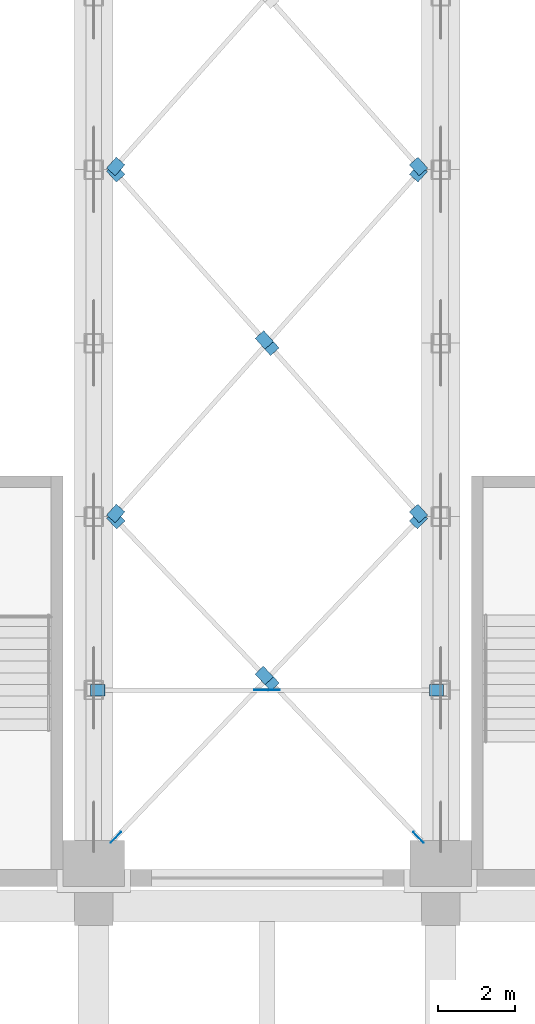
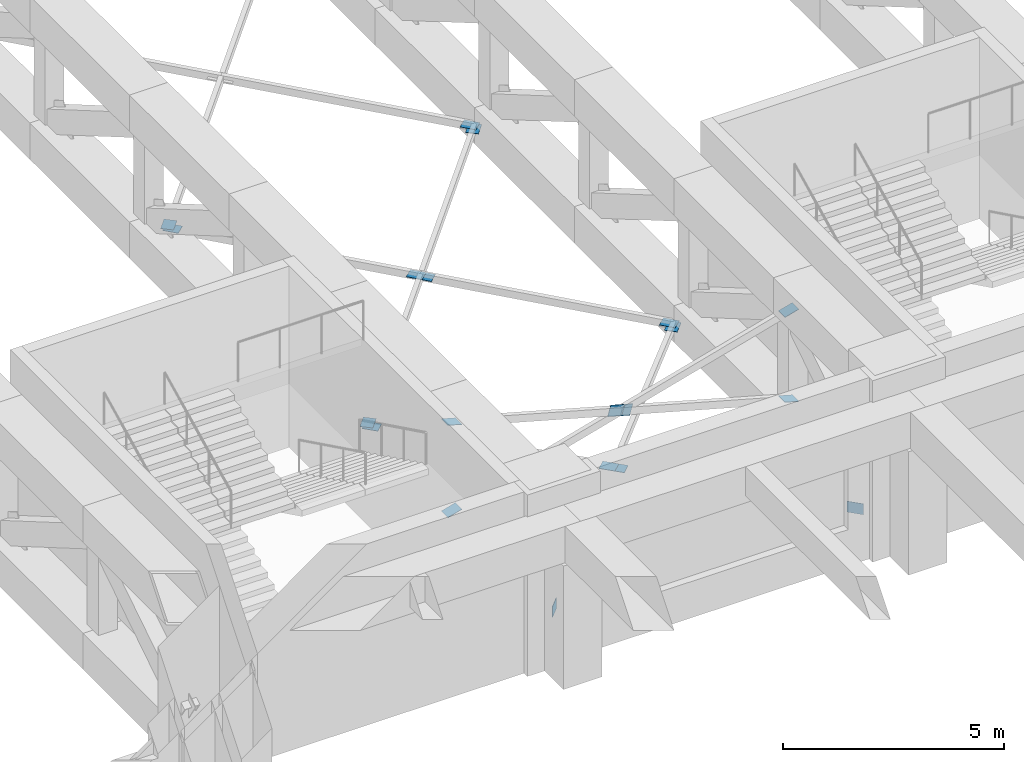
# One storey, part 60 of 76: 20 discrete accessories.
"""IFC4 building model written with IfcOpenShell, lengths in metres."""

from ifc_helpers import new_model, si_unit, direction, frame, origin, place, context, subcontext, project, spatial, polyline, outline, extrude, material, layer, layer_set, type_object, element, save


model = new_model("IFC4")

# Units and contexts
model_context = context("Model", 3, precision=1e-05, world=origin(), true_north=direction((0.0, 1.0)))
body_context = subcontext(model_context, "Body", "Model", "MODEL_VIEW")
ifc_project = project(units=[si_unit("LENGTHUNIT", "METRE"), si_unit("AREAUNIT", "SQUARE_METRE"), si_unit("VOLUMEUNIT", "CUBIC_METRE"), si_unit("PLANEANGLEUNIT", "RADIAN"), si_unit("MASSUNIT", "GRAM", prefix="KILO")], contexts=[model_context])

# Site, building, storey
site_placement = place(None, origin())
site = spatial("IfcSite", under=ifc_project, at=site_placement, CompositionType="ELEMENT")
building_placement = place(site_placement, origin())
building = spatial("IfcBuilding", under=site, at=building_placement, Name="Aravalli Gate Trade Fair Centre", CompositionType="ELEMENT")
storey_placement = place(building_placement, frame((0.0, 0.0, 10.0)))
storey = spatial("IfcBuildingStorey", under=building, at=storey_placement, Name="L02", CompositionType="ELEMENT", Elevation=10.0)

# Discrete accessories
ifc_material = material(Name="Steel E350", Category="steel")
ifc_layer = layer(ifc_material, 0.011962890625)
ifc_layer_set = layer_set([ifc_layer], Name="Steel E350")
discrete_accessory_type = type_object("IfcDiscreteAccessoryType", Name="Gusset plate 300 x 300 x 12", PredefinedType="USERDEFINED", material=ifc_layer_set)
discrete_accessory_1_placement = place(storey_placement, frame((60.70263671875, 46.8212890625, 0.35009765625), z_axis=(-0.723924035453, 0.689879693058, 0.0), x_axis=(-0.689879693058, -0.723924035453, 0.0)))
element("IfcDiscreteAccessory", 1, at=discrete_accessory_1_placement, inside=storey, type_object=discrete_accessory_type, Name="Gusset plate FT plan brace bay 7 cell 1A end A", ObjectType="GUSSET PLATE", PredefinedType="USERDEFINED", context=body_context, shape_type="SweptSolid", body=[
    extrude(outline(polyline([(0.0, 0.0), (0.3800764595457875, 0.0), (0.3800764595457875, 0.29980468750000006), (0.0, 0.29980468750000006), (0.0, 0.0)])), origin(), (0.0, 0.0, -1.0), 0.011962890625),
])
discrete_accessory_2_placement = place(storey_placement, frame((68.401611328125, 54.67919921875, 0.506103515625), z_axis=(0.0, 0.0, 1.0), x_axis=(0.689558973725, 0.72422953665, 0.0)))
element("IfcDiscreteAccessory", 2, at=discrete_accessory_2_placement, inside=storey, type_object=discrete_accessory_type, Name="Gusset plate FT plan brace bay 7 cell 1A end B", ObjectType="GUSSET PLATE", PredefinedType="USERDEFINED", context=body_context, shape_type="SweptSolid", body=[
    extrude(outline(polyline([(0.0, 0.0), (0.38025323611355255, 0.0), (0.3801836391719176, 0.2999562349519024), (0.0002755662689057359, 0.2999477704590008), (0.0, 0.0)])), origin(), (0.0, 0.0, -1.0), 0.011962890625),
])
discrete_accessory_3_placement = place(storey_placement, frame((60.598388671875, 54.67919921875, 0.506103515625), z_axis=(0.0, 0.0, 1.0), x_axis=(-0.689558973725, 0.72422953665, 0.0)))
element("IfcDiscreteAccessory", 3, at=discrete_accessory_3_placement, inside=storey, type_object=discrete_accessory_type, Name="Gusset plate FT plan brace bay 7 cell 1B half 1 end A", ObjectType="GUSSET PLATE", PredefinedType="USERDEFINED", context=body_context, shape_type="SweptSolid", body=[
    extrude(outline(polyline([(0.0, 0.0), (0.38025323611355255, 0.0), (0.3801836391719176, -0.2999562349519024), (0.0002755662689057359, -0.2999477704590008), (0.0, 0.0)])), origin(), (0.0, 0.0, -1.0), 0.011962890625),
])
discrete_accessory_4_placement = place(storey_placement, frame((64.1845703125, 50.913818359375, 0.506103515625), z_axis=(0.0, 0.0, 1.0), x_axis=(0.689542837451, -0.7242449001, 0.0)))
element("IfcDiscreteAccessory", 4, at=discrete_accessory_4_placement, inside=storey, type_object=discrete_accessory_type, Name="Gusset plate FT plan brace bay 7 cell 1B half 1 end B", ObjectType="GUSSET PLATE", PredefinedType="USERDEFINED", context=body_context, shape_type="SweptSolid", body=[
    extrude(outline(polyline([(0.0, 0.0), (0.37990807299730794, 2.7755575615628914e-17), (0.37997098680265656, 0.2999562364280967), (-0.00010543161395085154, 0.2997794188255333), (0.0, 0.0)])), origin(), (0.0, 0.0, -1.0), 0.011962890625),
])
discrete_accessory_5_placement = place(storey_placement, frame((64.598388671875, 50.479248046875, 0.506103515625), z_axis=(0.0, 0.0, 1.0), x_axis=(-0.689879693058, 0.723924035453, 0.0)))
element("IfcDiscreteAccessory", 5, at=discrete_accessory_5_placement, inside=storey, type_object=discrete_accessory_type, Name="Gusset plate FT plan brace bay 7 cell 1B half 2 end A", ObjectType="GUSSET PLATE", PredefinedType="USERDEFINED", context=body_context, shape_type="SweptSolid", body=[
    extrude(outline(polyline([(0.0, 0.0), (0.3800764595457874, -2.7755575615628914e-17), (0.38005074061082667, -0.3001246023598962), (0.00014270872447724736, -0.2999478630934282), (0.0, 0.0)])), origin(), (0.0, 0.0, -1.0), 0.011962890625),
])
discrete_accessory_6_placement = place(storey_placement, frame((68.288818359375, 46.81298828125, 0.35009765625), z_axis=(-0.7242449001, -0.689542837451, 0.0), x_axis=(0.689542837451, -0.7242449001, 0.0)))
element("IfcDiscreteAccessory", 6, at=discrete_accessory_6_placement, inside=storey, type_object=discrete_accessory_type, Name="Gusset plate FT plan brace bay 7 cell 1B half 2 end B", ObjectType="GUSSET PLATE", PredefinedType="USERDEFINED", context=body_context, shape_type="SweptSolid", body=[
    extrude(outline(polyline([(0.0, 0.0), (0.37990807299730794, 0.0), (0.37990807299730794, 0.2998046875), (0.0, 0.2998046875), (0.0, 0.0)])), origin(), (0.0, 0.0, -1.0), 0.011962890625),
])
discrete_accessory_7_placement = place(storey_placement, frame((60.811279296875, 55.12451171875, 0.506103515625), z_axis=(0.0, 0.0, 1.0), x_axis=(-0.664084476604, -0.747657547232, 0.0)))
element("IfcDiscreteAccessory", 7, at=discrete_accessory_7_placement, inside=storey, type_object=discrete_accessory_type, Name="Gusset plate FT plan brace bay 7 cell 2A end A", ObjectType="GUSSET PLATE", PredefinedType="USERDEFINED", context=body_context, shape_type="SweptSolid", body=[
    extrude(outline(polyline([(0.0, 0.0), (0.37976684369219504, 0.0), (0.3798169109426651, -0.30004644014049164), (-0.0002945963295681586, -0.30002603655879534), (0.0, 0.0)])), origin(), (0.0, 0.0, -1.0), 0.011962890625),
])
discrete_accessory_8_placement = place(storey_placement, frame((68.412841796875, 63.676025390625, 0.506103515625), z_axis=(0.0, 0.0, 1.0), x_axis=(0.664124608323, 0.747621899505, 0.0)))
element("IfcDiscreteAccessory", 8, at=discrete_accessory_8_placement, inside=storey, type_object=discrete_accessory_type, Name="Gusset plate FT plan brace bay 7 cell 2A end B", ObjectType="GUSSET PLATE", PredefinedType="USERDEFINED", context=body_context, shape_type="SweptSolid", body=[
    extrude(outline(polyline([(0.0, 0.0), (0.3801115078198438, 0.0), (0.38004533471122237, 0.3000464370207233), (0.0002784915661413201, 0.30002605193986837), (0.0, 0.0)])), origin(), (0.0, 0.0, -1.0), 0.011962890625),
])
discrete_accessory_9_placement = place(storey_placement, frame((60.587158203125, 63.676025390625, 0.506103515625), z_axis=(0.0, 0.0, 1.0), x_axis=(-0.664124608323, 0.747621899505, 0.0)))
element("IfcDiscreteAccessory", 9, at=discrete_accessory_9_placement, inside=storey, type_object=discrete_accessory_type, Name="Gusset plate FT plan brace bay 7 cell 2B half 1 end A", ObjectType="GUSSET PLATE", PredefinedType="USERDEFINED", context=body_context, shape_type="SweptSolid", body=[
    extrude(outline(polyline([(0.0, 0.0), (0.3801115078198438, 0.0), (0.38004533471122237, -0.3000464370207233), (0.0002784915661413201, -0.30002605193986837), (0.0, 0.0)])), origin(), (0.0, 0.0, -1.0), 0.011962890625),
])
discrete_accessory_10_placement = place(storey_placement, frame((64.188720703125, 59.62451171875, 0.506103515625), z_axis=(0.0, 0.0, 1.0), x_axis=(0.664084476604, -0.747657547232, 0.0)))
element("IfcDiscreteAccessory", 10, at=discrete_accessory_10_placement, inside=storey, type_object=discrete_accessory_type, Name="Gusset plate FT plan brace bay 7 cell 2B half 1 end B", ObjectType="GUSSET PLATE", PredefinedType="USERDEFINED", context=body_context, shape_type="SweptSolid", body=[
    extrude(outline(polyline([(0.0, 0.0), (0.37976684369219504, 0.0), (0.3798169109426651, 0.30004644014049164), (-0.0002945963295681586, 0.30002603655879534), (0.0, 0.0)])), origin(), (0.0, 0.0, -1.0), 0.011962890625),
])
discrete_accessory_11_placement = place(storey_placement, frame((64.587158203125, 59.176025390625, 0.506103515625), z_axis=(0.0, 0.0, 1.0), x_axis=(-0.664124608323, 0.747621899505, 0.0)))
element("IfcDiscreteAccessory", 11, at=discrete_accessory_11_placement, inside=storey, type_object=discrete_accessory_type, Name="Gusset plate FT plan brace bay 7 cell 2B half 2 end A", ObjectType="GUSSET PLATE", PredefinedType="USERDEFINED", context=body_context, shape_type="SweptSolid", body=[
    extrude(outline(polyline([(0.0, 0.0), (0.3801115078198438, 0.0), (0.38004533471122237, -0.3000464370207233), (0.0002784915661413201, -0.30002605193986837), (0.0, 0.0)])), origin(), (0.0, 0.0, -1.0), 0.011962890625),
])
discrete_accessory_12_placement = place(storey_placement, frame((68.188720703125, 55.12451171875, 0.506103515625), z_axis=(0.0, 0.0, 1.0), x_axis=(0.664084476604, -0.747657547232, 0.0)))
element("IfcDiscreteAccessory", 12, at=discrete_accessory_12_placement, inside=storey, type_object=discrete_accessory_type, Name="Gusset plate FT plan brace bay 7 cell 2B half 2 end B", ObjectType="GUSSET PLATE", PredefinedType="USERDEFINED", context=body_context, shape_type="SweptSolid", body=[
    extrude(outline(polyline([(0.0, 0.0), (0.37976684369219504, 0.0), (0.3798169109426651, 0.30004644014049164), (-0.0002945963295681586, 0.30002603655879534), (0.0, 0.0)])), origin(), (0.0, 0.0, -1.0), 0.011962890625),
])
discrete_accessory_13_placement = place(storey_placement, frame((60.811279296875, 64.12451171875, 0.506103515625), z_axis=(0.0, 0.0, 1.0), x_axis=(-0.664084476604, -0.747657547232, 0.0)))
element("IfcDiscreteAccessory", 13, at=discrete_accessory_13_placement, inside=storey, type_object=discrete_accessory_type, Name="Gusset plate FT plan brace bay 7 cell 3A end A", ObjectType="GUSSET PLATE", PredefinedType="USERDEFINED", context=body_context, shape_type="SweptSolid", body=[
    extrude(outline(polyline([(0.0, 0.0), (0.37976684369219504, 0.0), (0.3798169109426651, -0.30004644014049164), (-0.0002945963295681586, -0.30002603655879534), (0.0, 0.0)])), origin(), (0.0, 0.0, -1.0), 0.011962890625),
])
discrete_accessory_14_placement = place(storey_placement, frame((68.188720703125, 64.12451171875, 0.506103515625), z_axis=(0.0, 0.0, 1.0), x_axis=(0.664084476604, -0.747657547232, 0.0)))
element("IfcDiscreteAccessory", 14, at=discrete_accessory_14_placement, inside=storey, type_object=discrete_accessory_type, Name="Gusset plate FT plan brace bay 7 cell 3B half 2 end B", ObjectType="GUSSET PLATE", PredefinedType="USERDEFINED", context=body_context, shape_type="SweptSolid", body=[
    extrude(outline(polyline([(0.0, 0.0), (0.37976684369219504, 0.0), (0.3798169109426651, 0.30004644014049164), (-0.0002945963295681586, 0.30002603655879534), (0.0, 0.0)])), origin(), (0.0, 0.0, -1.0), 0.011962890625),
])
discrete_accessory_15_placement = place(storey_placement, frame((60.287353515625, 50.35009765625, 1.086181640625), z_axis=(-0.268008474485, 0.0, 0.963416554562), x_axis=(-0.963416554562, 0.0, -0.268008474485)))
element("IfcDiscreteAccessory", 15, at=discrete_accessory_15_placement, inside=storey, type_object=discrete_accessory_type, Name="Gusset plate FT vertical brace bay 7 frame 1A end A", ObjectType="GUSSET PLATE", PredefinedType="USERDEFINED", context=body_context, shape_type="SweptSolid", body=[
    extrude(outline(polyline([(0.0, 0.0), (0.3798635129757732, 0.0), (0.3798635129757732, -0.29980468749999994), (0.0, -0.29980468749999994), (0.0, 0.0)])), origin(), (0.0, 0.0, -1.0), 0.011962890625),
])
discrete_accessory_16_placement = place(storey_placement, frame((68.709228515625, 50.35009765625, 3.425537109375), z_axis=(-0.267246240794, 0.0, 0.963628272095), x_axis=(0.963628272095, 0.0, 0.267246240794)))
element("IfcDiscreteAccessory", 16, at=discrete_accessory_16_placement, inside=storey, type_object=discrete_accessory_type, Name="Gusset plate FT vertical brace bay 7 frame 1A end B", ObjectType="GUSSET PLATE", PredefinedType="USERDEFINED", context=body_context, shape_type="SweptSolid", body=[
    extrude(outline(polyline([(0.0, 0.0), (0.3800334092561849, 0.0), (0.3800334092561849, 0.2998046875), (0.0, 0.2998046875), (0.0, 0.0)])), origin(), (0.0, 0.0, -1.0), 0.011962890625),
])
discrete_accessory_17_placement = place(storey_placement, frame((60.290771484375, 50.35009765625, 3.425537109375), z_axis=(0.267246240794, 0.0, 0.963628272095), x_axis=(-0.963628272095, 0.0, 0.267246240794)))
element("IfcDiscreteAccessory", 17, at=discrete_accessory_17_placement, inside=storey, type_object=discrete_accessory_type, Name="Gusset plate FT vertical brace bay 7 frame 1B half 1 end A", ObjectType="GUSSET PLATE", PredefinedType="USERDEFINED", context=body_context, shape_type="SweptSolid", body=[
    extrude(outline(polyline([(0.0, 0.0), (0.3800334092561849, 0.0), (0.3800334092561849, -0.2998046875), (0.0, -0.2998046875), (0.0, 0.0)])), origin(), (0.0, 0.0, -1.0), 0.011962890625),
])
discrete_accessory_18_placement = place(storey_placement, frame((64.1708984375, 50.493896484375, 2.185791015625), z_axis=(0.0, -1.0, 0.0), x_axis=(0.963416554562, 0.0, -0.268008474485)))
element("IfcDiscreteAccessory", 18, at=discrete_accessory_18_placement, inside=storey, type_object=discrete_accessory_type, Name="Gusset plate FT vertical brace bay 7 frame 1B half 1 end B", ObjectType="GUSSET PLATE", PredefinedType="USERDEFINED", context=body_context, shape_type="SweptSolid", body=[
    extrude(outline(polyline([(0.0, 0.0), (0.3798635129757732, 0.0), (0.37977611372313164, 0.30001464568042957), (-8.73992526415901e-05, 0.30001464568042957), (0.0, 0.0)])), origin(), (0.0, 0.0, -1.0), 0.011962890625),
])
discrete_accessory_19_placement = place(storey_placement, frame((64.748779296875, 50.506103515625, 2.025146484375), z_axis=(0.0, 1.0, 0.0), x_axis=(-0.963416554562, 0.0, 0.268008474485)))
element("IfcDiscreteAccessory", 19, at=discrete_accessory_19_placement, inside=storey, type_object=discrete_accessory_type, Name="Gusset plate FT vertical brace bay 7 frame 1B half 2 end A", ObjectType="GUSSET PLATE", PredefinedType="USERDEFINED", context=body_context, shape_type="SweptSolid", body=[
    extrude(outline(polyline([(0.0, 0.0), (0.3798635129757732, 0.0), (0.3799509122284148, 0.30001464568042957), (8.73992526415901e-05, 0.30001464568042957), (0.0, 0.0)])), origin(), (0.0, 0.0, -1.0), 0.011962890625),
])
discrete_accessory_20_placement = place(storey_placement, frame((68.712646484375, 50.35009765625, 1.086181640625), z_axis=(0.268008474485, 0.0, 0.963416554562), x_axis=(0.963416554562, 0.0, -0.268008474485)))
element("IfcDiscreteAccessory", 20, at=discrete_accessory_20_placement, inside=storey, type_object=discrete_accessory_type, Name="Gusset plate FT vertical brace bay 7 frame 1B half 2 end B", ObjectType="GUSSET PLATE", PredefinedType="USERDEFINED", context=body_context, shape_type="SweptSolid", body=[
    extrude(outline(polyline([(0.0, 0.0), (0.3798635129757732, 0.0), (0.3798635129757732, 0.29980468749999994), (0.0, 0.29980468749999994), (0.0, 0.0)])), origin(), (0.0, 0.0, -1.0), 0.011962890625),
])

save(model, "model.ifc")
